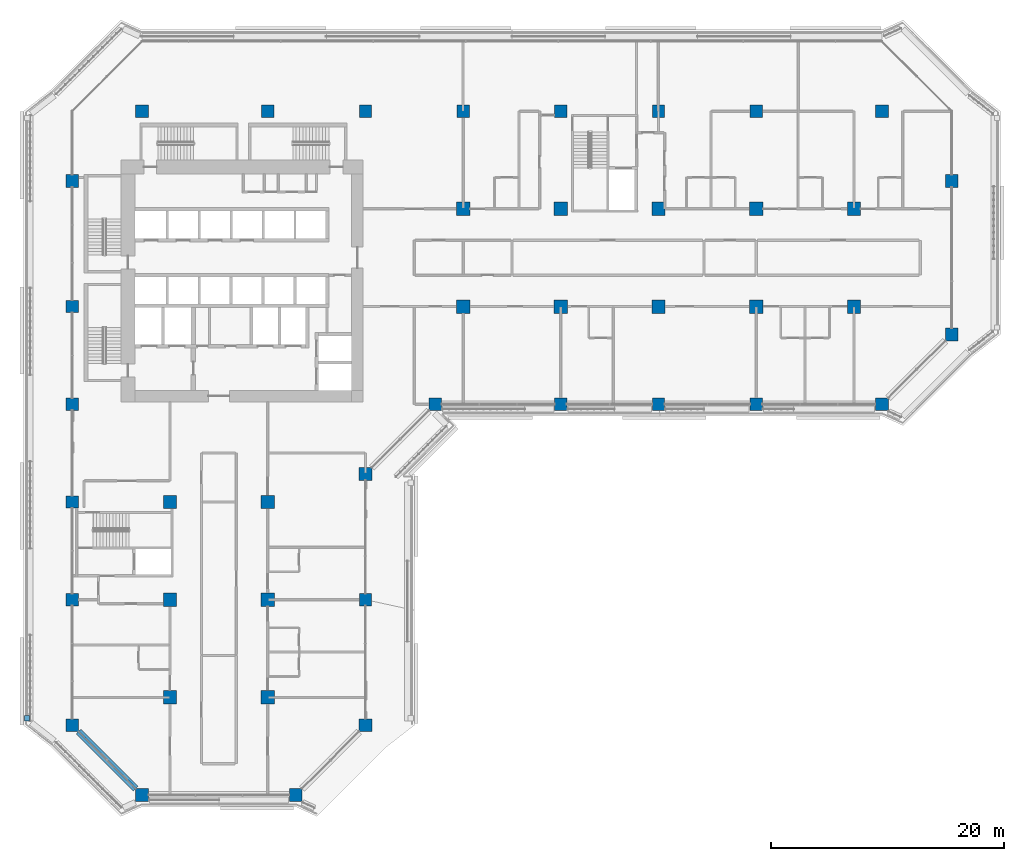
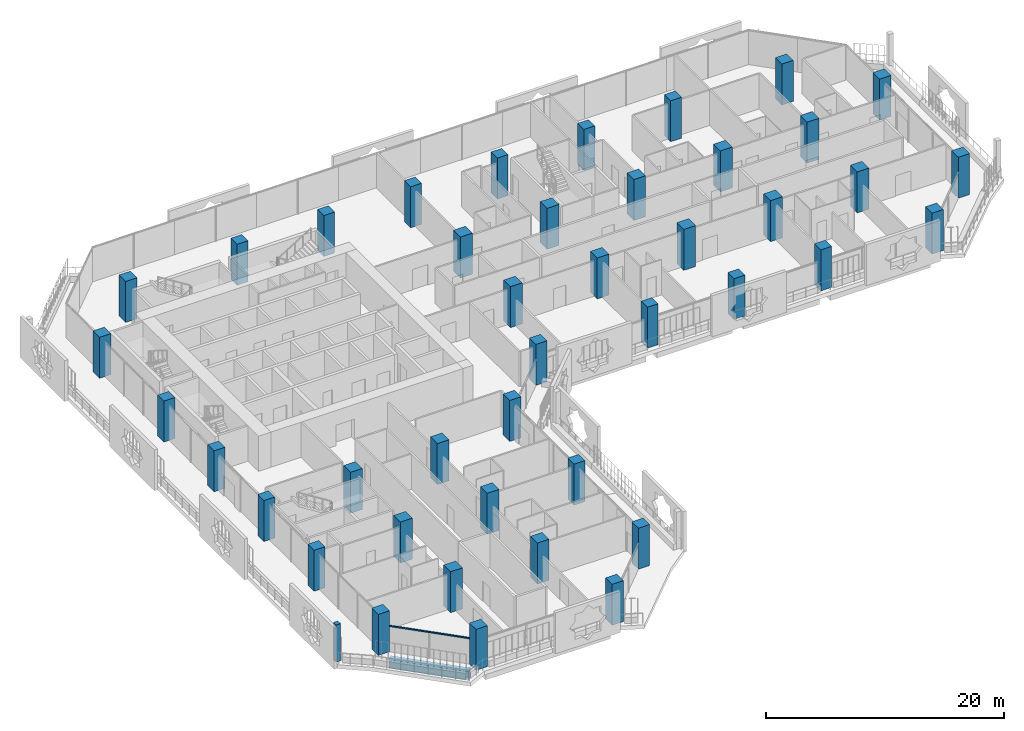
# One storey, part 1 of 25: 42 columns, 2 members, 1 beam, 2 elements without a shape of their own.
"""IFC4 building model written with IfcOpenShell, lengths in metres."""

import ifcopenshell
import ifcopenshell.guid

model = None  # the IFC model being written
_history = None  # IfcOwnerHistory: only IFC2X3 demands one
_inside = {}  # id of a spatial element -> (the spatial element, [elements in it])
_under = {}  # id of a project, library or spatial element -> (it, [spatial elements below it])
_declared = {}  # id of a project -> (the project, [libraries it declares])
_typed = {}  # id of a type object -> (the type object, [elements of that type])
_made_of = {}  # id of a material, layer set ... -> (it, [elements and type objects made of it])


def new_model(schema):
    """Start an empty IFC model of exactly this schema.

    Asked for "IFC4X3", IfcOpenShell would pick the latest addendum, in which some entities
    have other attributes; the version numbers below select the first issue.
    IFC2X3 requires an IfcOwnerHistory on every rooted entity: one is made here for all.
    """
    global model, _history
    if schema == "IFC4X3":
        model = ifcopenshell.file(schema_version=(4, 3, 0, 0))
    else:
        model = ifcopenshell.file(schema=schema)
    _inside.clear()
    _under.clear()
    _declared.clear()
    _typed.clear()
    _made_of.clear()
    _history = None
    if model.schema == "IFC2X3":
        org = make("IfcOrganization", Name="unknown")
        user = make(
            "IfcPersonAndOrganization",
            ThePerson=make("IfcPerson", FamilyName="unknown"),
            TheOrganization=org,
        )
        app = make(
            "IfcApplication",
            ApplicationDeveloper=org,
            Version="unknown",
            ApplicationFullName="unknown",
            ApplicationIdentifier="unknown",
        )
        _history = make(
            "IfcOwnerHistory",
            OwningUser=user,
            OwningApplication=app,
            ChangeAction="ADDED",
            CreationDate=0,
        )
    return model


def make(cls, **values):
    """One entity of the class cls with the attributes given. An attribute that is None is left unset."""
    return model.create_entity(
        cls, **{name: value for name, value in values.items() if value is not None}
    )


def rooted(cls, **values):
    """An entity with a GlobalId (a new one), such as an element, a storey or a relation."""
    return make(cls, GlobalId=ifcopenshell.guid.new(), OwnerHistory=_history, **values)


def si_unit(unit_type, name, prefix=None):
    """IfcSIUnit, for example si_unit("LENGTHUNIT", "METRE", prefix="MILLI")."""
    return make("IfcSIUnit", UnitType=unit_type, Prefix=prefix, Name=name)


def assignment(units):
    """IfcUnitAssignment: the units of a project."""
    return None if units is None else make("IfcUnitAssignment", Units=units)


def point(xyz):
    """IfcCartesianPoint."""
    return None if xyz is None else make("IfcCartesianPoint", Coordinates=xyz)


def direction(xyz):
    """IfcDirection."""
    return None if xyz is None else make("IfcDirection", DirectionRatios=xyz)


def frame(location, z_axis=None, x_axis=None):
    """IfcAxis2Placement3D, a coordinate frame: its origin and axes. An axis left out is left unset."""
    return make(
        "IfcAxis2Placement3D",
        Location=point(location),
        Axis=direction(z_axis),
        RefDirection=direction(x_axis),
    )


def frame_2d(location, x_axis=None):
    """IfcAxis2Placement2D, a coordinate frame in the plane: its origin and x axis."""
    return make(
        "IfcAxis2Placement2D", Location=point(location), RefDirection=direction(x_axis)
    )


def origin():
    """The frame at (0, 0, 0) with its axes left unset."""
    return frame((0.0, 0.0, 0.0))


def origin_2d():
    """The frame at (0, 0) in the plane with its x axis left unset."""
    return frame_2d((0.0, 0.0))


def place(relative_to, where):
    """IfcLocalPlacement: puts the frame where relative to a parent placement (None: the world)."""
    return make(
        "IfcLocalPlacement", PlacementRelTo=relative_to, RelativePlacement=where
    )


def context(
    kind, dimensions, precision=None, world=None, true_north=None, identifier=None
):
    """IfcGeometricRepresentationContext, for example the 3D "Model" context."""
    return make(
        "IfcGeometricRepresentationContext",
        ContextIdentifier=identifier,
        ContextType=kind,
        CoordinateSpaceDimension=dimensions,
        Precision=precision,
        WorldCoordinateSystem=world,
        TrueNorth=true_north,
    )


def subcontext(parent, identifier, kind, view, scale=None):
    """IfcGeometricRepresentationSubContext, for example "Body" below "Model"."""
    return make(
        "IfcGeometricRepresentationSubContext",
        ContextIdentifier=identifier,
        ContextType=kind,
        ParentContext=parent,
        TargetScale=scale,
        TargetView=view,
    )


def project(units=None, contexts=None):
    """IfcProject with its units and contexts."""
    return rooted(
        "IfcProject",
        Name="project",
        RepresentationContexts=contexts,
        UnitsInContext=assignment(units),
    )


def spatial(cls, under=None, at=None, **own):
    """A site, building, storey or space (cls), placed at a placement, below another one or the project."""
    s = rooted(cls, ObjectPlacement=at, **own)
    if under is not None:
        _under.setdefault(under.id(), (under, []))[1].append(s)
    return s


def profile(cls, at=None, kind="AREA", **sizes):
    """A parametric profile (cls). Its sizes go by their IFC names, for example OverallWidth=200.0."""
    return make(cls, ProfileType=kind, Position=at, **sizes)


def rectangle(**sizes):
    """IfcRectangleProfileDef."""
    return profile("IfcRectangleProfileDef", **sizes)


def extrude(swept, where, along, depth):
    """IfcExtrudedAreaSolid: the profile swept, set in the frame where, extruded along a direction by depth."""
    return make(
        "IfcExtrudedAreaSolid",
        SweptArea=swept,
        Position=where,
        ExtrudedDirection=direction(along),
        Depth=depth,
    )


def shape(context_of_items, identifier, shape_type, items):
    """IfcShapeRepresentation: the items that make up one representation, for example the "Body"."""
    return make(
        "IfcShapeRepresentation",
        ContextOfItems=context_of_items,
        RepresentationIdentifier=identifier,
        RepresentationType=shape_type,
        Items=items,
    )


def material(Name=None, Category=None):
    """IfcMaterial."""
    return make("IfcMaterial", Name=Name, Category=Category)


def layer(
    of_material, thickness, ventilated=None, Name=None, Category=None, Priority=None
):
    """IfcMaterialLayer: one layer of a wall or slab, of a material (None: an air gap)."""
    return make(
        "IfcMaterialLayer",
        Material=of_material,
        LayerThickness=thickness,
        IsVentilated=ventilated,
        Name=Name,
        Category=Category,
        Priority=Priority,
    )


def layer_set(layers, Name=None):
    """IfcMaterialLayerSet."""
    return make("IfcMaterialLayerSet", MaterialLayers=layers, LayerSetName=Name)


def material_profile(
    of_material, cross_section, Name=None, Category=None, Priority=None
):
    """IfcMaterialProfile: a cross section and its material."""
    return make(
        "IfcMaterialProfile",
        Name=Name,
        Material=of_material,
        Profile=cross_section,
        Priority=Priority,
        Category=Category,
    )


def profile_set(profiles, Name=None, composite=None):
    """IfcMaterialProfileSet."""
    return make(
        "IfcMaterialProfileSet",
        Name=Name,
        MaterialProfiles=profiles,
        CompositeProfile=composite,
    )


def made_of(thing, what):
    """Note that an element or type object is made of a material, layer set ...; save() writes the relation."""
    if what is not None:
        _made_of.setdefault(what.id(), (what, []))[1].append(thing)
    return thing


def type_object(cls, material=None, **own):
    """A type object (cls), such as IfcWallType, which elements share."""
    return made_of(rooted(cls, **own), material)


def element(
    cls,
    number,
    at=None,
    inside=None,
    cuts=None,
    type_object=None,
    material=None,
    context=None,
    identifier="Body",
    shape_type=None,
    held_by="IfcProductDefinitionShape",
    body=None,
    shapes=None,
    **own,
):
    """One element of the class cls, such as IfcWall. Its Tag is "e" and its number.

    at: its placement. inside: the storey or other place that contains it. cuts: it is an
    opening in that element (IfcRelVoidsElement). A single representation is given by context,
    identifier, shape_type and body (its items); several are given by shapes. held_by: the class
    of the entity that holds the representations. save() writes the other relations.
    """
    e = rooted(cls, Tag="e%d" % number, ObjectPlacement=at, **own)
    if body is not None:
        shapes = [shape(context, identifier, shape_type, body)]
    if shapes is not None:
        e.Representation = make(held_by, Representations=shapes)
    if inside is not None:
        _inside.setdefault(inside.id(), (inside, []))[1].append(e)
    if cuts is not None:
        rooted(
            "IfcRelVoidsElement", RelatingBuildingElement=cuts, RelatedOpeningElement=e
        )
    if type_object is not None:
        _typed.setdefault(type_object.id(), (type_object, []))[1].append(e)
    return made_of(e, material)


def aggregate(whole, parts):
    """IfcRelAggregates: a whole, such as a stair, and the parts it consists of."""
    return rooted("IfcRelAggregates", RelatingObject=whole, RelatedObjects=parts)


def save(model, path):
    """Write the relations noted so far, then the file.

    IfcRelAggregates (storeys below a building ...), IfcRelContainedInSpatialStructure (elements
    in a storey), IfcRelDefinesByType, IfcRelAssociatesMaterial and IfcRelDeclares: one each for
    every whole, place, type object, material and project.
    """
    for whole, parts in _under.values():
        aggregate(whole, parts)
    for where, things in _inside.values():
        rooted(
            "IfcRelContainedInSpatialStructure",
            RelatedElements=things,
            RelatingStructure=where,
        )
    for kind, things in _typed.values():
        rooted("IfcRelDefinesByType", RelatedObjects=things, RelatingType=kind)
    for what, things in _made_of.values():
        rooted("IfcRelAssociatesMaterial", RelatedObjects=things, RelatingMaterial=what)
    for by, libraries in _declared.values():
        rooted("IfcRelDeclares", RelatingContext=by, RelatedDefinitions=libraries)
    model.write(path)


model = new_model("IFC4")

# Units and contexts
model_context = context("Model", 3, precision=1e-05, world=origin(), true_north=direction((0.0, 1.0)))
body_context = subcontext(model_context, "Body", "Model", "MODEL_VIEW")
ifc_project = project(units=[si_unit("LENGTHUNIT", "METRE"), si_unit("AREAUNIT", "SQUARE_METRE"), si_unit("VOLUMEUNIT", "CUBIC_METRE"), si_unit("PLANEANGLEUNIT", "RADIAN"), si_unit("MASSUNIT", "GRAM", prefix="KILO")], contexts=[model_context])

# Site, building, storey
site_placement = place(None, origin())
site = spatial("IfcSite", under=ifc_project, at=site_placement, CompositionType="ELEMENT")
building_placement = place(site_placement, origin())
building = spatial("IfcBuilding", under=site, at=building_placement, Name="Kawkab Arch Medical Tower", CompositionType="ELEMENT")
storey_placement = place(building_placement, frame((0.0, 0.0, 128.199951171875)))
storey = spatial("IfcBuildingStorey", under=building, at=storey_placement, Name="L29", CompositionType="ELEMENT", Elevation=128.199951171875)

# Columns
ifc_material_1 = material(Name="Concrete C55/67", Category="concrete")
ifc_material_profile_1 = material_profile(ifc_material_1, rectangle(XDim=1.050048828125, YDim=1.050048828125, at=origin_2d()), Name="RC 1050x1050")
ifc_profile_set_1 = profile_set([ifc_material_profile_1], Name="Concrete C55/67")
column_type_1 = type_object("IfcColumnType", Name="RC 1050x1050 column C55/67", PredefinedType="COLUMN", material=ifc_profile_set_1)
for number, where, z_axis, x_axis, name in (
    (1, (16.800048828125, 0.0, 0.0), (0.0, 0.0, 1.0), (1.0, 0.0, 0.0), "Column RC 1050x1050"),
    (2, (25.199951171875, 0.0, 0.0), (0.0, 0.0, 1.0), (1.0, 0.0, 0.0), "Column RC 1050x1050"),
    (3, (33.60009765625, 0.0, 0.0), (0.0, 0.0, 1.0), (1.0, 0.0, 0.0), "Column RC 1050x1050"),
    (4, (42.0, 0.0, 0.0), (0.0, 0.0, 1.0), (1.0, 0.0, 0.0), "Column RC 1050x1050"),
    (5, (50.39990234375, 0.0, 0.0), (0.0, 0.0, 1.0), (1.0, 0.0, 0.0), "Column RC 1050x1050"),
    (6, (58.800048828125, 0.0, 0.0), (0.0, 0.0, 1.0), (1.0, 0.0, 0.0), "Column RC 1050x1050"),
    (7, (0.0, -16.800048828125, 0.0), (0.0, 0.0, 1.0), (1.0, 0.0, 0.0), "Column RC 1050x1050"),
    (8, (0.0, -25.199951171875, 0.0), (0.0, 0.0, 1.0), (1.0, 0.0, 0.0), "Column RC 1050x1050"),
    (9, (42.0, -25.199951171875, 0.0), (0.0, 0.0, 1.0), (1.0, 0.0, 0.0), "Column RC 1050x1050"),
    (10, (50.39990234375, -25.199951171875, 0.0), (0.0, 0.0, 1.0), (1.0, 0.0, 0.0), "Column RC 1050x1050"),
    (11, (58.800048828125, -25.199951171875, 0.0), (0.0, 0.0, 1.0), (1.0, 0.0, 0.0), "Column RC 1050x1050"),
    (12, (0.0, -33.60009765625, 0.0), (0.0, 0.0, 1.0), (1.0, 0.0, 0.0), "Column RC 1050x1050"),
    (13, (0.0, -42.0, 0.0), (0.0, 0.0, 1.0), (1.0, 0.0, 0.0), "Column RC 1050x1050"),
    (14, (25.199951171875, -42.0, 0.0), (0.0, 0.0, 1.0), (1.0, 0.0, 0.0), "Column RC 1050x1050"),
):
    element("IfcColumn", number, at=place(storey_placement, frame(where, z_axis=z_axis, x_axis=x_axis)), inside=storey, type_object=column_type_1, Name=name, PredefinedType="COLUMN", context=body_context, shape_type="SweptSolid", body=[
        extrude(rectangle(XDim=1.050048828125, YDim=1.050048828125, at=origin_2d()), origin(), (0.0, 0.0, 1.0), 4.199951171875),
    ])
ifc_material_2 = material(Name="Concrete C55/67", Category="concrete")
ifc_material_profile_2 = material_profile(ifc_material_2, rectangle(XDim=1.10009765625, YDim=1.10009765625, at=origin_2d()), Name="RC 1100x1100")
ifc_profile_set_2 = profile_set([ifc_material_profile_2], Name="Concrete C55/67")
column_type_2 = type_object("IfcColumnType", Name="RC 1100x1100 column C55/67", PredefinedType="COLUMN", material=ifc_profile_set_2)
for number, where, z_axis, x_axis, name in (
    (15, (6.0, 0.0, 0.0), (0.0, 0.0, 1.0), (1.0, 0.0, 0.0), "Column RC 1100x1100"),
    (16, (69.60009765625, 0.0, 0.0), (0.0, 0.0, 1.0), (1.0, 0.0, 0.0), "Column RC 1100x1100"),
    (17, (0.0, -6.0, 0.0), (0.0, 0.0, 1.0), (1.0, 0.0, 0.0), "Column RC 1100x1100"),
    (18, (75.60009765625, -6.0, 0.0), (0.0, 0.0, 1.0), (1.0, 0.0, 0.0), "Column RC 1100x1100"),
    (19, (75.60009765625, -19.199951171875, 0.0), (0.0, 0.0, 1.0), (1.0, 0.0, 0.0), "Column RC 1100x1100"),
    (20, (31.199951171875, -25.199951171875, 0.0), (0.0, 0.0, 1.0), (1.0, 0.0, 0.0), "Column RC 1100x1100"),
    (21, (69.60009765625, -25.199951171875, 0.0), (0.0, 0.0, 1.0), (1.0, 0.0, 0.0), "Column RC 1100x1100"),
    (22, (25.199951171875, -31.199951171875, 0.0), (0.0, 0.0, 1.0), (1.0, 0.0, 0.0), "Column RC 1100x1100"),
    (23, (0.0, -52.800048828125, 0.0), (0.0, 0.0, 1.0), (1.0, 0.0, 0.0), "Column RC 1100x1100"),
    (24, (25.199951171875, -52.800048828125, 0.0), (0.0, 0.0, 1.0), (1.0, 0.0, 0.0), "Column RC 1100x1100"),
    (25, (6.0, -58.800048828125, 0.0), (0.0, 0.0, 1.0), (1.0, 0.0, 0.0), "Column RC 1100x1100"),
    (26, (19.199951171875, -58.800048828125, 0.0), (0.0, 0.0, 1.0), (1.0, 0.0, 0.0), "Column RC 1100x1100"),
):
    element("IfcColumn", number, at=place(storey_placement, frame(where, z_axis=z_axis, x_axis=x_axis)), inside=storey, type_object=column_type_2, Name=name, PredefinedType="COLUMN", context=body_context, shape_type="SweptSolid", body=[
        extrude(rectangle(XDim=1.10009765625, YDim=1.10009765625, at=origin_2d()), origin(), (0.0, 0.0, 1.0), 4.199951171875),
    ])
ifc_material_3 = material(Name="Concrete C55/67", Category="concrete")
ifc_material_profile_3 = material_profile(ifc_material_3, rectangle(XDim=1.14990234375, YDim=1.14990234375, at=origin_2d()), Name="RC 1150x1150")
ifc_profile_set_3 = profile_set([ifc_material_profile_3], Name="Concrete C55/67")
column_type_3 = type_object("IfcColumnType", Name="RC 1150x1150 column C55/67", PredefinedType="COLUMN", material=ifc_profile_set_3)
for number, where, z_axis, x_axis, name in (
    (27, (33.60009765625, -8.39990234375, 0.0), (0.0, 0.0, 1.0), (1.0, 0.0, 0.0), "Column RC 1150x1150"),
    (28, (42.0, -8.39990234375, 0.0), (0.0, 0.0, 1.0), (1.0, 0.0, 0.0), "Column RC 1150x1150"),
    (29, (50.39990234375, -8.39990234375, 0.0), (0.0, 0.0, 1.0), (1.0, 0.0, 0.0), "Column RC 1150x1150"),
    (30, (58.800048828125, -8.39990234375, 0.0), (0.0, 0.0, 1.0), (1.0, 0.0, 0.0), "Column RC 1150x1150"),
    (31, (67.199951171875, -8.39990234375, 0.0), (0.0, 0.0, 1.0), (1.0, 0.0, 0.0), "Column RC 1150x1150"),
    (32, (33.60009765625, -16.800048828125, 0.0), (0.0, 0.0, 1.0), (1.0, 0.0, 0.0), "Column RC 1150x1150"),
    (33, (42.0, -16.800048828125, 0.0), (0.0, 0.0, 1.0), (1.0, 0.0, 0.0), "Column RC 1150x1150"),
    (34, (50.39990234375, -16.800048828125, 0.0), (0.0, 0.0, 1.0), (1.0, 0.0, 0.0), "Column RC 1150x1150"),
    (35, (58.800048828125, -16.800048828125, 0.0), (0.0, 0.0, 1.0), (1.0, 0.0, 0.0), "Column RC 1150x1150"),
    (36, (67.199951171875, -16.800048828125, 0.0), (0.0, 0.0, 1.0), (1.0, 0.0, 0.0), "Column RC 1150x1150"),
    (37, (8.39990234375, -33.60009765625, 0.0), (0.0, 0.0, 1.0), (1.0, 0.0, 0.0), "Column RC 1150x1150"),
    (38, (16.800048828125, -33.60009765625, 0.0), (0.0, 0.0, 1.0), (1.0, 0.0, 0.0), "Column RC 1150x1150"),
    (39, (8.39990234375, -42.0, 0.0), (0.0, 0.0, 1.0), (1.0, 0.0, 0.0), "Column RC 1150x1150"),
    (40, (16.800048828125, -42.0, 0.0), (0.0, 0.0, 1.0), (1.0, 0.0, 0.0), "Column RC 1150x1150"),
    (41, (8.39990234375, -50.39990234375, 0.0), (0.0, 0.0, 1.0), (1.0, 0.0, 0.0), "Column RC 1150x1150"),
    (42, (16.800048828125, -50.39990234375, 0.0), (0.0, 0.0, 1.0), (1.0, 0.0, 0.0), "Column RC 1150x1150"),
):
    element("IfcColumn", number, at=place(storey_placement, frame(where, z_axis=z_axis, x_axis=x_axis)), inside=storey, type_object=column_type_3, Name=name, PredefinedType="COLUMN", context=body_context, shape_type="SweptSolid", body=[
        extrude(rectangle(XDim=1.14990234375, YDim=1.14990234375, at=origin_2d()), origin(), (0.0, 0.0, 1.0), 4.199951171875),
    ])

# Curtain wall, member
ifc_material_4 = material(Name="Bronze anodised aluminium curtain wall frame", Category="aluminium")
ifc_layer_1 = layer(ifc_material_4, 0.159912109375)
ifc_layer_set_1 = layer_set([ifc_layer_1], Name="Bronze anodised aluminium curtain wall frame")
curtain_wall_type_1 = type_object("IfcCurtainWallType", Name="CW2 chamfer curtain wall", PredefinedType="NOTDEFINED", material=ifc_layer_set_1)
placement = place(storey_placement, origin())
curtain_wall_1 = element("IfcCurtainWall", 43, at=placement, inside=storey, type_object=curtain_wall_type_1, Name="CW2 Chamfer curtain wall R02", PredefinedType="NOTDEFINED")
ifc_material_5 = material(Name="Bronze anodised aluminium curtain wall frame", Category="aluminium")
ifc_material_profile_4 = material_profile(ifc_material_5, rectangle(XDim=0.06005859375, YDim=0.139892578125, at=origin_2d()), Name="AL 60x140")
ifc_profile_set_4 = profile_set([ifc_material_profile_4], Name="Bronze anodised aluminium curtain wall frame")
member_type_1 = type_object("IfcMemberType", Name="CW2 transom 140 x 60", PredefinedType="USERDEFINED", material=ifc_profile_set_4)
member_1_placement = place(storey_placement, frame((0.550048828125, -53.35009765625, 2.630126953125), z_axis=(0.707106781187, -0.707106781187, 0.0), x_axis=(0.707106781187, 0.707106781187, 0.0)))
member_1 = element("IfcMember", 44, at=member_1_placement, type_object=member_type_1, Name="CW2 transom 1", ObjectType="TRANSOM", PredefinedType="USERDEFINED", context=body_context, shape_type="SweptSolid", body=[
    extrude(rectangle(XDim=0.06005859375, YDim=0.139892578125, at=origin_2d()), origin(), (0.0, 0.0, 1.0), 6.929443359375),
])
aggregate(curtain_wall_1, [member_1])

ifc_material_6 = material(Name="Bronze anodised aluminium climber frame, planted", Category="aluminium")
ifc_layer_2 = layer(ifc_material_6, 0.449951171875)
ifc_layer_set_2 = layer_set([ifc_layer_2], Name="Bronze anodised aluminium climber frame, planted")
curtain_wall_type_2 = type_object("IfcCurtainWallType", Name="Planted climber frame", PredefinedType="NOTDEFINED", material=ifc_layer_set_2)
curtain_wall_2 = element("IfcCurtainWall", 45, at=placement, inside=storey, type_object=curtain_wall_type_2, Name="Planted climber frame L29", PredefinedType="NOTDEFINED")
ifc_material_7 = material(Name="Bronze anodised aluminium climber frame, planted", Category="aluminium")
ifc_material_profile_5 = material_profile(ifc_material_7, rectangle(XDim=0.449951171875, YDim=0.449951171875, at=origin_2d()), Name="Post 450x450")
ifc_profile_set_5 = profile_set([ifc_material_profile_5], Name="Bronze anodised aluminium climber frame, planted")
member_type_2 = type_object("IfcMemberType", Name="Planted climber post 450 x 450", PredefinedType="MULLION", material=ifc_profile_set_5)
member_2_placement = place(storey_placement, frame((-3.89990234375, -52.202880859375, 0.0), z_axis=(0.0, 0.0, 1.0), x_axis=(1.0, 0.0, 0.0)))
member_2 = element("IfcMember", 46, at=member_2_placement, type_object=member_type_2, Name="Planted climber post L29.LOG-01-01.1", PredefinedType="MULLION", context=body_context, shape_type="SweptSolid", body=[
    extrude(rectangle(XDim=0.449951171875, YDim=0.449951171875, at=origin_2d()), origin(), (0.0, 0.0, 1.0), 3.800048828125),
])
aggregate(curtain_wall_2, [member_2])

# Beam
ifc_material_8 = material(Name="Concrete C55/67", Category="concrete")
ifc_material_profile_6 = material_profile(ifc_material_8, rectangle(XDim=0.60009765625, YDim=0.89990234375, at=origin_2d()), Name="RC 600x900")
ifc_profile_set_6 = profile_set([ifc_material_profile_6], Name="Concrete C55/67")
beam_type = type_object("IfcBeamType", Name="RC 600x900 beam C55/67", PredefinedType="BEAM", material=ifc_profile_set_6)
beam_placement = place(storey_placement, frame((5.449951171875, -58.25, -1.050048828125), z_axis=(-0.707106781187, 0.707106781187, 0.0), x_axis=(-0.707106781187, -0.707106781187, 0.0)))
element("IfcBeam", 47, at=beam_placement, inside=storey, type_object=beam_type, Name="Overhang edge beam L29-09", PredefinedType="BEAM", context=body_context, shape_type="SweptSolid", body=[
    extrude(rectangle(XDim=0.60009765625, YDim=0.89990234375, at=origin_2d()), origin(), (0.0, 0.0, 1.0), 6.929443359375),
])

save(model, "model.ifc")
